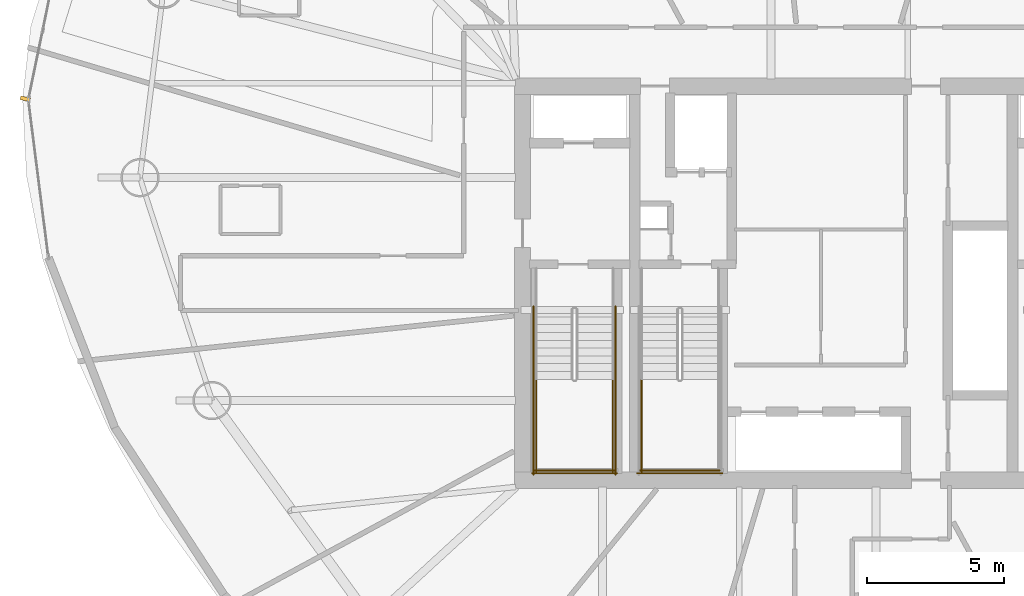
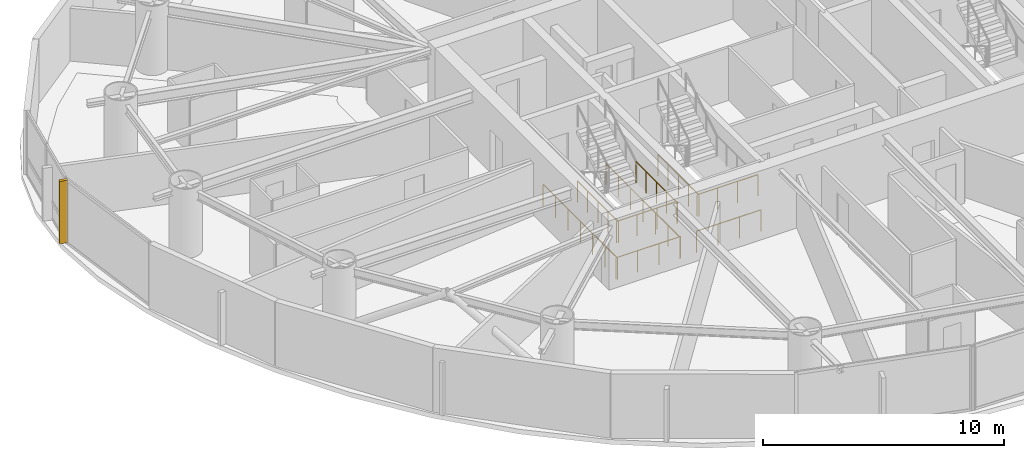
# One storey, part 23 of 26: 9 railings, 1 shading device.
"""IFC4 building model written with IfcOpenShell, lengths in metres."""

from ifc_helpers import new_model, si_unit, direction, frame, origin, origin_2d, place, context, subcontext, project, spatial, rectangle, circle, extrude, material, type_object, element, save


model = new_model("IFC4")

# Units and contexts
model_context = context("Model", 3, precision=1e-05, world=origin(), true_north=direction((0.0, 1.0)))
body_context = subcontext(model_context, "Body", "Model", "MODEL_VIEW")
ifc_project = project(units=[si_unit("LENGTHUNIT", "METRE"), si_unit("AREAUNIT", "SQUARE_METRE"), si_unit("VOLUMEUNIT", "CUBIC_METRE"), si_unit("PLANEANGLEUNIT", "RADIAN"), si_unit("MASSUNIT", "GRAM", prefix="KILO")], contexts=[model_context])

# Site, building, storey
site_placement = place(None, origin())
site = spatial("IfcSite", under=ifc_project, at=site_placement, CompositionType="ELEMENT")
building_placement = place(site_placement, origin())
building = spatial("IfcBuilding", under=site, at=building_placement, Name="Bramvorn Convention Spire", CompositionType="ELEMENT")
storey_placement = place(building_placement, frame((0.0, 0.0, 123.800048828125)))
storey = spatial("IfcBuildingStorey", under=building, at=storey_placement, Name="L30", CompositionType="ELEMENT", Elevation=123.800048828125)

# Railings
ifc_material_1 = material(Name="Painted Steel Balustrade & Guardrail", Category="steel")
railing_type = type_object("IfcRailingType", Name="RL-STAIR-GUARD-1100", PredefinedType="GUARDRAIL", material=ifc_material_1)
for number, where, name in (
    (1, (27.5, 22.485107421875, 1.75), "L30 ST1 stair guard 3"),
    (2, (30.300048828125, 22.485107421875, 1.75), "L30 ST1 stair guard 4"),
):
    element("IfcRailing", number, at=place(storey_placement, frame(where)), inside=storey, type_object=railing_type, Name=name, PredefinedType="GUARDRAIL", context=body_context, shape_type="SweptSolid", body=[
        extrude(circle(Radius=0.02392578125, at=origin_2d()), frame((0.0, 0.0, 1.076171875), z_axis=(0.0, -1.0, 0.0), x_axis=(1.0, 0.0, 0.0)), (0.0, 0.0, 1.0), 3.385009765625),
        extrude(circle(Radius=0.02099609375, at=origin_2d()), origin(), (0.0, 0.0, 1.0), 1.052001953125),
        extrude(circle(Radius=0.02099609375, at=origin_2d()), frame((0.0, -0.84619140625, 0.0)), (0.0, 0.0, 1.0), 1.052001953125),
        extrude(circle(Radius=0.02099609375, at=origin_2d()), frame((0.0, -1.6923828125, 0.0)), (0.0, 0.0, 1.0), 1.052001953125),
        extrude(circle(Radius=0.02099609375, at=origin_2d()), frame((0.0, -2.538818359375, 0.0)), (0.0, 0.0, 1.0), 1.052001953125),
        extrude(circle(Radius=0.02099609375, at=origin_2d()), frame((0.0, -3.385009765625, 0.0)), (0.0, 0.0, 1.0), 1.052001953125),
    ])
railing_1_placement = place(storey_placement, frame((27.449951171875, 19.14990234375, 1.75)))
element("IfcRailing", 3, at=railing_1_placement, inside=storey, type_object=railing_type, Name="L30 ST1 stair guard 5", PredefinedType="GUARDRAIL", context=body_context, shape_type="SweptSolid", body=[
    extrude(circle(Radius=0.02392578125, at=origin_2d()), frame((0.0, 0.0, 1.076171875), z_axis=(1.0, 0.0, 0.0), x_axis=(0.0, 1.0, 0.0)), (0.0, 0.0, 1.0), 2.900146484375),
    extrude(circle(Radius=0.02099609375, at=origin_2d()), origin(), (0.0, 0.0, 1.0), 1.052001953125),
    extrude(circle(Radius=0.02099609375, at=origin_2d()), frame((0.966796875, 0.0, 0.0)), (0.0, 0.0, 1.0), 1.052001953125),
    extrude(circle(Radius=0.02099609375, at=origin_2d()), frame((1.933349609375, 0.0, 0.0)), (0.0, 0.0, 1.0), 1.052001953125),
    extrude(circle(Radius=0.02099609375, at=origin_2d()), frame((2.900146484375, 0.0, 0.0)), (0.0, 0.0, 1.0), 1.052001953125),
])
for number, where, name in (
    (4, (27.39990234375, 25.14990234375, 0.0), "L30 ST1 stair guard 10"),
    (5, (30.39990234375, 25.14990234375, 0.0), "L30 ST1 stair guard 11"),
):
    element("IfcRailing", number, at=place(storey_placement, frame(where)), inside=storey, type_object=railing_type, Name=name, PredefinedType="GUARDRAIL", context=body_context, shape_type="SweptSolid", body=[
        extrude(circle(Radius=0.02392578125, at=origin_2d()), frame((0.0, 0.0, 1.076171875), z_axis=(0.0, -1.0, 0.0), x_axis=(1.0, 0.0, 0.0)), (0.0, 0.0, 1.0), 6.14990234375),
        extrude(circle(Radius=0.02099609375, at=origin_2d()), origin(), (0.0, 0.0, 1.0), 1.052001953125),
        extrude(circle(Radius=0.02099609375, at=origin_2d()), frame((0.0, -1.02490234375, 0.0)), (0.0, 0.0, 1.0), 1.052001953125),
        extrude(circle(Radius=0.02099609375, at=origin_2d()), frame((0.0, -2.050048828125, 0.0)), (0.0, 0.0, 1.0), 1.052001953125),
        extrude(circle(Radius=0.02099609375, at=origin_2d()), frame((0.0, -3.074951171875, 0.0)), (0.0, 0.0, 1.0), 1.052001953125),
        extrude(circle(Radius=0.02099609375, at=origin_2d()), frame((0.0, -4.099853515625, 0.0)), (0.0, 0.0, 1.0), 1.052001953125),
        extrude(circle(Radius=0.02099609375, at=origin_2d()), frame((0.0, -5.125, 0.0)), (0.0, 0.0, 1.0), 1.052001953125),
        extrude(circle(Radius=0.02099609375, at=origin_2d()), frame((0.0, -6.14990234375, 0.0)), (0.0, 0.0, 1.0), 1.052001953125),
    ])
railing_2_placement = place(storey_placement, frame((27.35009765625, 19.050048828125, 0.0)))
element("IfcRailing", 6, at=railing_2_placement, inside=storey, type_object=railing_type, Name="L30 ST1 stair guard 12", PredefinedType="GUARDRAIL", context=body_context, shape_type="SweptSolid", body=[
    extrude(circle(Radius=0.02392578125, at=origin_2d()), frame((0.0, 0.0, 1.076171875), z_axis=(1.0, 0.0, 0.0), x_axis=(0.0, 1.0, 0.0)), (0.0, 0.0, 1.0), 3.099853515625),
    extrude(circle(Radius=0.02099609375, at=origin_2d()), origin(), (0.0, 0.0, 1.0), 1.052001953125),
    extrude(circle(Radius=0.02099609375, at=origin_2d()), frame((1.033203125, 0.0, 0.0)), (0.0, 0.0, 1.0), 1.052001953125),
    extrude(circle(Radius=0.02099609375, at=origin_2d()), frame((2.066650390625, 0.0, 0.0)), (0.0, 0.0, 1.0), 1.052001953125),
    extrude(circle(Radius=0.02099609375, at=origin_2d()), frame((3.099853515625, 0.0, 0.0)), (0.0, 0.0, 1.0), 1.052001953125),
])
railing_3_placement = place(storey_placement, frame((31.35009765625, 22.485107421875, 1.75)))
element("IfcRailing", 7, at=railing_3_placement, inside=storey, type_object=railing_type, Name="L30 ST3 stair guard 3", PredefinedType="GUARDRAIL", context=body_context, shape_type="SweptSolid", body=[
    extrude(circle(Radius=0.02392578125, at=origin_2d()), frame((0.0, 0.0, 1.076171875), z_axis=(0.0, -1.0, 0.0), x_axis=(1.0, 0.0, 0.0)), (0.0, 0.0, 1.0), 3.385009765625),
    extrude(circle(Radius=0.02099609375, at=origin_2d()), origin(), (0.0, 0.0, 1.0), 1.052001953125),
    extrude(circle(Radius=0.02099609375, at=origin_2d()), frame((0.0, -0.84619140625, 0.0)), (0.0, 0.0, 1.0), 1.052001953125),
    extrude(circle(Radius=0.02099609375, at=origin_2d()), frame((0.0, -1.6923828125, 0.0)), (0.0, 0.0, 1.0), 1.052001953125),
    extrude(circle(Radius=0.02099609375, at=origin_2d()), frame((0.0, -2.538818359375, 0.0)), (0.0, 0.0, 1.0), 1.052001953125),
    extrude(circle(Radius=0.02099609375, at=origin_2d()), frame((0.0, -3.385009765625, 0.0)), (0.0, 0.0, 1.0), 1.052001953125),
])
railing_4_placement = place(storey_placement, frame((31.300048828125, 19.14990234375, 1.75)))
element("IfcRailing", 8, at=railing_4_placement, inside=storey, type_object=railing_type, Name="L30 ST3 stair guard 5", PredefinedType="GUARDRAIL", context=body_context, shape_type="SweptSolid", body=[
    extrude(circle(Radius=0.02392578125, at=origin_2d()), frame((0.0, 0.0, 1.076171875), z_axis=(1.0, 0.0, 0.0), x_axis=(0.0, 1.0, 0.0)), (0.0, 0.0, 1.0), 2.89990234375),
    extrude(circle(Radius=0.02099609375, at=origin_2d()), origin(), (0.0, 0.0, 1.0), 1.052001953125),
    extrude(circle(Radius=0.02099609375, at=origin_2d()), frame((0.966552734375, 0.0, 0.0)), (0.0, 0.0, 1.0), 1.052001953125),
    extrude(circle(Radius=0.02099609375, at=origin_2d()), frame((1.933349609375, 0.0, 0.0)), (0.0, 0.0, 1.0), 1.052001953125),
    extrude(circle(Radius=0.02099609375, at=origin_2d()), frame((2.89990234375, 0.0, 0.0)), (0.0, 0.0, 1.0), 1.052001953125),
])
railing_5_placement = place(storey_placement, frame((31.199951171875, 19.050048828125, 0.0)))
element("IfcRailing", 9, at=railing_5_placement, inside=storey, type_object=railing_type, Name="L30 ST3 stair guard 12", PredefinedType="GUARDRAIL", context=body_context, shape_type="SweptSolid", body=[
    extrude(circle(Radius=0.02392578125, at=origin_2d()), frame((0.0, 0.0, 1.076171875), z_axis=(1.0, 0.0, 0.0), x_axis=(0.0, 1.0, 0.0)), (0.0, 0.0, 1.0), 3.10009765625),
    extrude(circle(Radius=0.02099609375, at=origin_2d()), origin(), (0.0, 0.0, 1.0), 1.052001953125),
    extrude(circle(Radius=0.02099609375, at=origin_2d()), frame((1.033447265625, 0.0, 0.0)), (0.0, 0.0, 1.0), 1.052001953125),
    extrude(circle(Radius=0.02099609375, at=origin_2d()), frame((2.066650390625, 0.0, 0.0)), (0.0, 0.0, 1.0), 1.052001953125),
    extrude(circle(Radius=0.02099609375, at=origin_2d()), frame((3.10009765625, 0.0, 0.0)), (0.0, 0.0, 1.0), 1.052001953125),
])

# Shading device
ifc_material_2 = material(Name="Extruded Champagne Bronze Aluminium Lancet Fin", Category="aluminium")
shading_device_type = type_object("IfcShadingDeviceType", Name="SHD-FIN-LANCET", PredefinedType="SHUTTER", material=ifc_material_2)
shading_device_placement = place(storey_placement, frame((8.82568359375, 32.7333984375, 0.0498046875), z_axis=(0.0, 0.0, 1.0), x_axis=(-0.974385713303, 0.224883262408, 0.0)))
element("IfcShadingDevice", 10, at=shading_device_placement, inside=storey, type_object=shading_device_type, Name="L30 Gothic bronze wind-corner fin 13", PredefinedType="SHUTTER", context=body_context, shape_type="SweptSolid", body=[
    extrude(rectangle(XDim=0.360107421875, YDim=0.139892578125, at=origin_2d()), origin(), (0.0, 0.0, 1.0), 3.159912109375),
])

save(model, "model.ifc")
